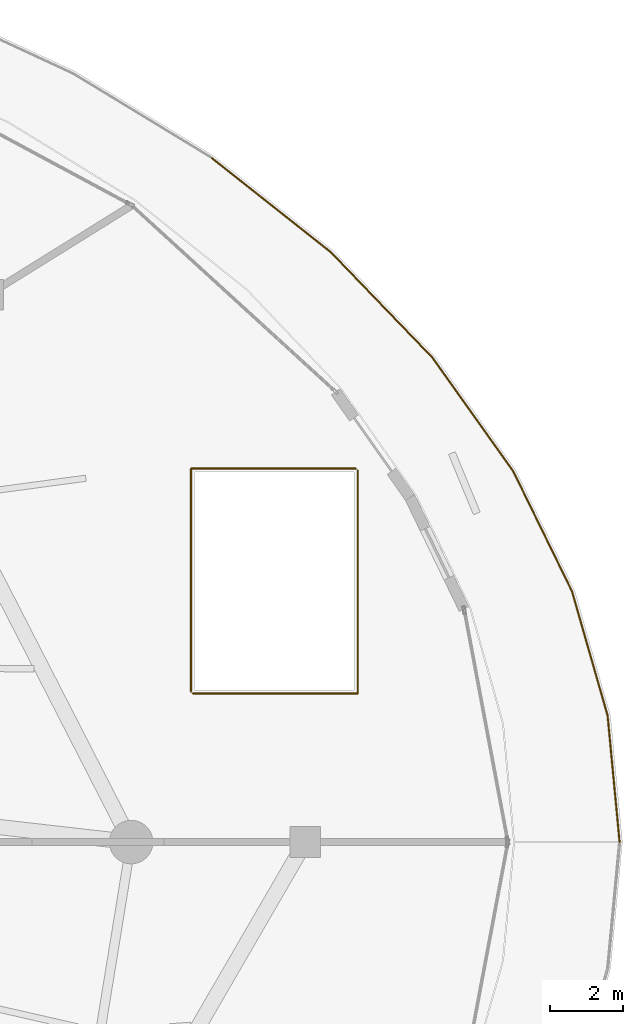
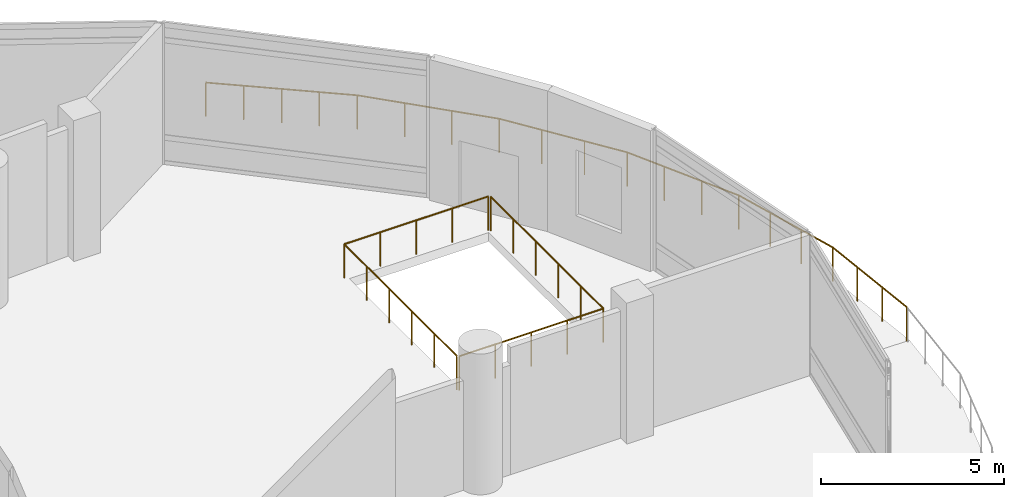
# One storey, part 36 of 36: 3 railings.
"""IFC4 building model written with IfcOpenShell, lengths in metres."""

from ifc_helpers import new_model, si_unit, direction, frame, origin, place, context, subcontext, project, spatial, polyline, outline, extrude, material, type_object, element, save


model = new_model("IFC4")

# Units and contexts
model_context = context("Model", 3, precision=1e-05, world=origin(), true_north=direction((0.0, 1.0)))
body_context = subcontext(model_context, "Body", "Model", "MODEL_VIEW")
ifc_project = project(units=[si_unit("LENGTHUNIT", "METRE"), si_unit("AREAUNIT", "SQUARE_METRE"), si_unit("VOLUMEUNIT", "CUBIC_METRE"), si_unit("PLANEANGLEUNIT", "RADIAN"), si_unit("MASSUNIT", "GRAM", prefix="KILO")], contexts=[model_context])

# Site, building, storey
site_placement = place(None, origin())
site = spatial("IfcSite", under=ifc_project, at=site_placement, CompositionType="ELEMENT")
building_placement = place(site_placement, origin())
building = spatial("IfcBuilding", under=site, at=building_placement, Name="Nuhasar Tower", CompositionType="ELEMENT")
storey_placement = place(building_placement, frame((0.0, 0.0, 11.0)))
storey = spatial("IfcBuildingStorey", under=building, at=storey_placement, Name="L02", CompositionType="ELEMENT", Elevation=11.0)

# Railings
ifc_material = material(Name="Steel S355", Category="steel")
railing_type = type_object("IfcRailingType", Name="RLG-TERR-1150", PredefinedType="BALUSTRADE", material=ifc_material)
railing_1_placement = place(storey_placement, frame((77.52001953125, 26.800048828125, 0.0)))
element("IfcRailing", 1, at=railing_1_placement, inside=storey, type_object=railing_type, Name="L02 Bustan Terrace Perimeter Balustrade 01", PredefinedType="BALUSTRADE", context=body_context, shape_type="SweptSolid", body=[
    extrude(outline(polyline([(0.024169921875, 0.0), (0.01708984375, 0.01708984375), (0.0, 0.024169921875), (-0.01708984375, 0.01708984375), (-0.024169921875, 0.0), (-0.01708984375, -0.01708984375), (0.0, -0.024169921875), (0.01708984375, -0.01708984375), (0.024169921875, 0.0)])), frame((0.0, 0.0, 1.1259765625), z_axis=(-0.094210589897, 0.995552291319, 0.0), x_axis=(-0.995552291319, -0.094210589897, 0.0)), (0.0, 0.0, 1.0), 3.503662109375),
    extrude(outline(polyline([(0.024169921875, 0.0), (0.01708984375, 0.01708984375), (0.0, 0.024169921875), (-0.01708984375, 0.01708984375), (-0.024169921875, 0.0), (-0.01708984375, -0.01708984375), (0.0, -0.024169921875), (0.01708984375, -0.01708984375), (0.024169921875, 0.0)])), frame((-0.330078125, 3.488037109375, 1.1259765625), z_axis=(-0.275625212335, 0.961265177943, 0.0), x_axis=(-0.961265177943, -0.275625212335, 0.0)), (0.0, 0.0, 1.0), 3.566162109375),
    extrude(outline(polyline([(0.024169921875, 0.0), (0.01708984375, 0.01708984375), (0.0, 0.024169921875), (-0.01708984375, 0.01708984375), (-0.024169921875, 0.0), (-0.01708984375, -0.01708984375), (0.0, -0.024169921875), (0.01708984375, -0.01708984375), (0.024169921875, 0.0)])), frame((-1.31298828125, 6.916015625, 1.1259765625), z_axis=(-0.439535798936, 0.898225072826, 0.0), x_axis=(-0.898225072826, -0.439535798936, 0.0)), (0.0, 0.0, 1.0), 3.683837890625),
    extrude(outline(polyline([(0.024169921875, 0.0), (0.01708984375, 0.01708984375), (0.0, 0.024169921875), (-0.01708984375, 0.01708984375), (-0.024169921875, 0.0), (-0.01708984375, -0.01708984375), (0.0, -0.024169921875), (0.01708984375, -0.01708984375), (0.024169921875, 0.0)])), frame((-2.93212890625, 10.224853515625, 1.1259765625), z_axis=(-0.579465707946, 0.814996621658, 0.0), x_axis=(-0.814996621658, -0.579465707946, 0.0)), (0.0, 0.0, 1.0), 3.8466796875),
    extrude(outline(polyline([(0.024169921875, 0.0), (0.01708984375, 0.01708984375), (0.0, 0.024169921875), (-0.01708984375, 0.01708984375), (-0.024169921875, 0.0), (-0.01708984375, -0.01708984375), (0.0, -0.024169921875), (0.01708984375, -0.01708984375), (0.024169921875, 0.0)])), frame((-5.1611328125, 13.35986328125, 1.1259765625), z_axis=(-0.693699827193, 0.72026422218, 0.0), x_axis=(-0.72026422218, -0.693699827193, 0.0)), (0.0, 0.0, 1.0), 4.03466796875),
    extrude(outline(polyline([(0.024169921875, 0.0), (0.01708984375, 0.01708984375), (0.0, 0.024169921875), (-0.01708984375, 0.01708984375), (-0.024169921875, 0.0), (-0.01708984375, -0.01708984375), (0.0, -0.024169921875), (0.01708984375, -0.01708984375), (0.024169921875, 0.0)])), frame((-7.9599609375, 16.265869140625, 1.1259765625), z_axis=(-0.784319467323, 0.620357133576, 0.0), x_axis=(-0.620357133576, -0.784319467323, 0.0)), (0.0, 0.0, 1.0), 4.196044921875),
    extrude(outline(polyline([(0.02099609375, 0.0), (0.014892578125, 0.014892578125), (0.0, 0.02099609375), (-0.014892578125, 0.014892578125), (-0.02099609375, 0.0), (-0.014892578125, -0.014892578125), (0.0, -0.02099609375), (0.014892578125, -0.014892578125), (0.02099609375, 0.0)])), origin(), (0.0, 0.0, 1.0), 1.101806640625),
    extrude(outline(polyline([(0.02099609375, 0.0), (0.014892578125, 0.014892578125), (0.0, 0.02099609375), (-0.014892578125, 0.014892578125), (-0.02099609375, 0.0), (-0.014892578125, -0.014892578125), (0.0, -0.02099609375), (0.014892578125, -0.014892578125), (0.02099609375, 0.0)])), frame((-0.110107421875, 1.16259765625, 0.0)), (0.0, 0.0, 1.0), 1.101806640625),
    extrude(outline(polyline([(0.02099609375, 0.0), (0.014892578125, 0.014892578125), (0.0, 0.02099609375), (-0.014892578125, 0.014892578125), (-0.02099609375, 0.0), (-0.014892578125, -0.014892578125), (0.0, -0.02099609375), (0.014892578125, -0.014892578125), (0.02099609375, 0.0)])), frame((-0.219970703125, 2.325439453125, 0.0)), (0.0, 0.0, 1.0), 1.101806640625),
    extrude(outline(polyline([(0.02099609375, 0.0), (0.014892578125, 0.014892578125), (0.0, 0.02099609375), (-0.014892578125, 0.014892578125), (-0.02099609375, 0.0), (-0.014892578125, -0.014892578125), (0.0, -0.02099609375), (0.014892578125, -0.014892578125), (0.02099609375, 0.0)])), frame((-0.330078125, 3.488037109375, 0.0)), (0.0, 0.0, 1.0), 1.101806640625),
    extrude(outline(polyline([(0.02099609375, 0.0), (0.014892578125, 0.014892578125), (0.0, 0.02099609375), (-0.014892578125, 0.014892578125), (-0.02099609375, 0.0), (-0.014892578125, -0.014892578125), (0.0, -0.02099609375), (0.014892578125, -0.014892578125), (0.02099609375, 0.0)])), frame((-0.65771484375, 4.630615234375, 0.0)), (0.0, 0.0, 1.0), 1.101806640625),
    extrude(outline(polyline([(0.02099609375, 0.0), (0.014892578125, 0.014892578125), (0.0, 0.02099609375), (-0.014892578125, 0.014892578125), (-0.02099609375, 0.0), (-0.014892578125, -0.014892578125), (0.0, -0.02099609375), (0.014892578125, -0.014892578125), (0.02099609375, 0.0)])), frame((-0.9853515625, 5.7734375, 0.0)), (0.0, 0.0, 1.0), 1.101806640625),
    extrude(outline(polyline([(0.02099609375, 0.0), (0.014892578125, 0.014892578125), (0.0, 0.02099609375), (-0.014892578125, 0.014892578125), (-0.02099609375, 0.0), (-0.014892578125, -0.014892578125), (0.0, -0.02099609375), (0.014892578125, -0.014892578125), (0.02099609375, 0.0)])), frame((-1.31298828125, 6.916015625, 0.0)), (0.0, 0.0, 1.0), 1.101806640625),
    extrude(outline(polyline([(0.02099609375, 0.0), (0.014892578125, 0.014892578125), (0.0, 0.02099609375), (-0.014892578125, 0.014892578125), (-0.02099609375, 0.0), (-0.014892578125, -0.014892578125), (0.0, -0.02099609375), (0.014892578125, -0.014892578125), (0.02099609375, 0.0)])), frame((-1.852783203125, 8.01904296875, 0.0)), (0.0, 0.0, 1.0), 1.101806640625),
    extrude(outline(polyline([(0.02099609375, 0.0), (0.014892578125, 0.014892578125), (0.0, 0.02099609375), (-0.014892578125, 0.014892578125), (-0.02099609375, 0.0), (-0.014892578125, -0.014892578125), (0.0, -0.02099609375), (0.014892578125, -0.014892578125), (0.02099609375, 0.0)])), frame((-2.392333984375, 9.121826171875, 0.0)), (0.0, 0.0, 1.0), 1.101806640625),
    extrude(outline(polyline([(0.02099609375, 0.0), (0.014892578125, 0.014892578125), (0.0, 0.02099609375), (-0.014892578125, 0.014892578125), (-0.02099609375, 0.0), (-0.014892578125, -0.014892578125), (0.0, -0.02099609375), (0.014892578125, -0.014892578125), (0.02099609375, 0.0)])), frame((-2.93212890625, 10.224853515625, 0.0)), (0.0, 0.0, 1.0), 1.101806640625),
    extrude(outline(polyline([(0.02099609375, 0.0), (0.014892578125, 0.014892578125), (0.0, 0.02099609375), (-0.014892578125, 0.014892578125), (-0.02099609375, 0.0), (-0.014892578125, -0.014892578125), (0.0, -0.02099609375), (0.014892578125, -0.014892578125), (0.02099609375, 0.0)])), frame((-3.675048828125, 11.269775390625, 0.0)), (0.0, 0.0, 1.0), 1.101806640625),
    extrude(outline(polyline([(0.02099609375, 0.0), (0.014892578125, 0.014892578125), (0.0, 0.02099609375), (-0.014892578125, 0.014892578125), (-0.02099609375, 0.0), (-0.014892578125, -0.014892578125), (0.0, -0.02099609375), (0.014892578125, -0.014892578125), (0.02099609375, 0.0)])), frame((-4.418212890625, 12.31494140625, 0.0)), (0.0, 0.0, 1.0), 1.101806640625),
    extrude(outline(polyline([(0.02099609375, 0.0), (0.014892578125, 0.014892578125), (0.0, 0.02099609375), (-0.014892578125, 0.014892578125), (-0.02099609375, 0.0), (-0.014892578125, -0.014892578125), (0.0, -0.02099609375), (0.014892578125, -0.014892578125), (0.02099609375, 0.0)])), frame((-5.1611328125, 13.35986328125, 0.0)), (0.0, 0.0, 1.0), 1.101806640625),
    extrude(outline(polyline([(0.02099609375, 0.0), (0.014892578125, 0.014892578125), (0.0, 0.02099609375), (-0.014892578125, 0.014892578125), (-0.02099609375, 0.0), (-0.014892578125, -0.014892578125), (0.0, -0.02099609375), (0.014892578125, -0.014892578125), (0.02099609375, 0.0)])), frame((-6.093994140625, 14.32861328125, 0.0)), (0.0, 0.0, 1.0), 1.101806640625),
    extrude(outline(polyline([(0.02099609375, 0.0), (0.014892578125, 0.014892578125), (0.0, 0.02099609375), (-0.014892578125, 0.014892578125), (-0.02099609375, 0.0), (-0.014892578125, -0.014892578125), (0.0, -0.02099609375), (0.014892578125, -0.014892578125), (0.02099609375, 0.0)])), frame((-7.027099609375, 15.297119140625, 0.0)), (0.0, 0.0, 1.0), 1.101806640625),
    extrude(outline(polyline([(0.02099609375, 0.0), (0.014892578125, 0.014892578125), (0.0, 0.02099609375), (-0.014892578125, 0.014892578125), (-0.02099609375, 0.0), (-0.014892578125, -0.014892578125), (0.0, -0.02099609375), (0.014892578125, -0.014892578125), (0.02099609375, 0.0)])), frame((-7.9599609375, 16.265869140625, 0.0)), (0.0, 0.0, 1.0), 1.101806640625),
    extrude(outline(polyline([(0.02099609375, 0.0), (0.014892578125, 0.014892578125), (0.0, 0.02099609375), (-0.014892578125, 0.014892578125), (-0.02099609375, 0.0), (-0.014892578125, -0.014892578125), (0.0, -0.02099609375), (0.014892578125, -0.014892578125), (0.02099609375, 0.0)])), frame((-8.78271484375, 16.91650390625, 0.0)), (0.0, 0.0, 1.0), 1.101806640625),
    extrude(outline(polyline([(0.02099609375, 0.0), (0.014892578125, 0.014892578125), (0.0, 0.02099609375), (-0.014892578125, 0.014892578125), (-0.02099609375, 0.0), (-0.014892578125, -0.014892578125), (0.0, -0.02099609375), (0.014892578125, -0.014892578125), (0.02099609375, 0.0)])), frame((-9.60546875, 17.5673828125, 0.0)), (0.0, 0.0, 1.0), 1.101806640625),
    extrude(outline(polyline([(0.02099609375, 0.0), (0.014892578125, 0.014892578125), (0.0, 0.02099609375), (-0.014892578125, 0.014892578125), (-0.02099609375, 0.0), (-0.014892578125, -0.014892578125), (0.0, -0.02099609375), (0.014892578125, -0.014892578125), (0.02099609375, 0.0)])), frame((-10.42822265625, 18.21826171875, 0.0)), (0.0, 0.0, 1.0), 1.101806640625),
    extrude(outline(polyline([(0.02099609375, 0.0), (0.014892578125, 0.014892578125), (0.0, 0.02099609375), (-0.014892578125, 0.014892578125), (-0.02099609375, 0.0), (-0.014892578125, -0.014892578125), (0.0, -0.02099609375), (0.014892578125, -0.014892578125), (0.02099609375, 0.0)])), frame((-11.2509765625, 18.868896484375, 0.0)), (0.0, 0.0, 1.0), 1.101806640625),
])
railing_2_placement = place(storey_placement, frame((65.699951171875, 30.949951171875, 0.0)))
element("IfcRailing", 2, at=railing_2_placement, inside=storey, type_object=railing_type, Name="L02 Atrium Gallery Edge Guardrail West-North", PredefinedType="BALUSTRADE", context=body_context, shape_type="SweptSolid", body=[
    extrude(outline(polyline([(0.024169921875, 0.0), (0.01708984375, 0.01708984375), (0.0, 0.024169921875), (-0.01708984375, 0.01708984375), (-0.024169921875, 0.0), (-0.01708984375, -0.01708984375), (0.0, -0.024169921875), (0.01708984375, -0.01708984375), (0.024169921875, 0.0)])), frame((0.0, 0.0, 1.1259765625), z_axis=(0.0, 1.0, 0.0), x_axis=(-1.0, 0.0, 0.0)), (0.0, 0.0, 1.0), 6.150146484375),
    extrude(outline(polyline([(0.024169921875, 0.0), (0.01708984375, 0.01708984375), (0.0, 0.024169921875), (-0.01708984375, 0.01708984375), (-0.024169921875, 0.0), (-0.01708984375, -0.01708984375), (0.0, -0.024169921875), (0.01708984375, -0.01708984375), (0.024169921875, 0.0)])), frame((0.0, 6.150146484375, 1.1259765625), z_axis=(1.0, 0.0, 0.0), x_axis=(0.0, 1.0, 0.0)), (0.0, 0.0, 1.0), 4.550048828125),
    extrude(outline(polyline([(0.02099609375, 0.0), (0.014892578125, 0.014892578125), (0.0, 0.02099609375), (-0.014892578125, 0.014892578125), (-0.02099609375, 0.0), (-0.014892578125, -0.014892578125), (0.0, -0.02099609375), (0.014892578125, -0.014892578125), (0.02099609375, 0.0)])), origin(), (0.0, 0.0, 1.0), 1.101806640625),
    extrude(outline(polyline([(0.02099609375, 0.0), (0.014892578125, 0.014892578125), (0.0, 0.02099609375), (-0.014892578125, 0.014892578125), (-0.02099609375, 0.0), (-0.014892578125, -0.014892578125), (0.0, -0.02099609375), (0.014892578125, -0.014892578125), (0.02099609375, 0.0)])), frame((0.0, 1.22998046875, 0.0)), (0.0, 0.0, 1.0), 1.101806640625),
    extrude(outline(polyline([(0.02099609375, 0.0), (0.014892578125, 0.014892578125), (0.0, 0.02099609375), (-0.014892578125, 0.014892578125), (-0.02099609375, 0.0), (-0.014892578125, -0.014892578125), (0.0, -0.02099609375), (0.014892578125, -0.014892578125), (0.02099609375, 0.0)])), frame((0.0, 2.4599609375, 0.0)), (0.0, 0.0, 1.0), 1.101806640625),
    extrude(outline(polyline([(0.02099609375, 0.0), (0.014892578125, 0.014892578125), (0.0, 0.02099609375), (-0.014892578125, 0.014892578125), (-0.02099609375, 0.0), (-0.014892578125, -0.014892578125), (0.0, -0.02099609375), (0.014892578125, -0.014892578125), (0.02099609375, 0.0)])), frame((0.0, 3.690185546875, 0.0)), (0.0, 0.0, 1.0), 1.101806640625),
    extrude(outline(polyline([(0.02099609375, 0.0), (0.014892578125, 0.014892578125), (0.0, 0.02099609375), (-0.014892578125, 0.014892578125), (-0.02099609375, 0.0), (-0.014892578125, -0.014892578125), (0.0, -0.02099609375), (0.014892578125, -0.014892578125), (0.02099609375, 0.0)])), frame((0.0, 4.920166015625, 0.0)), (0.0, 0.0, 1.0), 1.101806640625),
    extrude(outline(polyline([(0.02099609375, 0.0), (0.014892578125, 0.014892578125), (0.0, 0.02099609375), (-0.014892578125, 0.014892578125), (-0.02099609375, 0.0), (-0.014892578125, -0.014892578125), (0.0, -0.02099609375), (0.014892578125, -0.014892578125), (0.02099609375, 0.0)])), frame((0.0, 6.150146484375, 0.0)), (0.0, 0.0, 1.0), 1.101806640625),
    extrude(outline(polyline([(0.02099609375, 0.0), (0.014892578125, 0.014892578125), (0.0, 0.02099609375), (-0.014892578125, 0.014892578125), (-0.02099609375, 0.0), (-0.014892578125, -0.014892578125), (0.0, -0.02099609375), (0.014892578125, -0.014892578125), (0.02099609375, 0.0)])), frame((1.137451171875, 6.150146484375, 0.0)), (0.0, 0.0, 1.0), 1.101806640625),
    extrude(outline(polyline([(0.02099609375, 0.0), (0.014892578125, 0.014892578125), (0.0, 0.02099609375), (-0.014892578125, 0.014892578125), (-0.02099609375, 0.0), (-0.014892578125, -0.014892578125), (0.0, -0.02099609375), (0.014892578125, -0.014892578125), (0.02099609375, 0.0)])), frame((2.27490234375, 6.150146484375, 0.0)), (0.0, 0.0, 1.0), 1.101806640625),
    extrude(outline(polyline([(0.02099609375, 0.0), (0.014892578125, 0.014892578125), (0.0, 0.02099609375), (-0.014892578125, 0.014892578125), (-0.02099609375, 0.0), (-0.014892578125, -0.014892578125), (0.0, -0.02099609375), (0.014892578125, -0.014892578125), (0.02099609375, 0.0)])), frame((3.41259765625, 6.150146484375, 0.0)), (0.0, 0.0, 1.0), 1.101806640625),
    extrude(outline(polyline([(0.02099609375, 0.0), (0.014892578125, 0.014892578125), (0.0, 0.02099609375), (-0.014892578125, 0.014892578125), (-0.02099609375, 0.0), (-0.014892578125, -0.014892578125), (0.0, -0.02099609375), (0.014892578125, -0.014892578125), (0.02099609375, 0.0)])), frame((4.550048828125, 6.150146484375, 0.0)), (0.0, 0.0, 1.0), 1.101806640625),
])
railing_3_placement = place(storey_placement, frame((70.300048828125, 37.050048828125, 0.0)))
element("IfcRailing", 3, at=railing_3_placement, inside=storey, type_object=railing_type, Name="L02 Atrium Gallery Edge Guardrail East-South", PredefinedType="BALUSTRADE", context=body_context, shape_type="SweptSolid", body=[
    extrude(outline(polyline([(0.024169921875, 0.0), (0.01708984375, 0.01708984375), (0.0, 0.024169921875), (-0.01708984375, 0.01708984375), (-0.024169921875, 0.0), (-0.01708984375, -0.01708984375), (0.0, -0.024169921875), (0.01708984375, -0.01708984375), (0.024169921875, 0.0)])), frame((0.0, 0.0, 1.1259765625), z_axis=(0.0, -1.0, 0.0), x_axis=(1.0, 0.0, 0.0)), (0.0, 0.0, 1.0), 6.150146484375),
    extrude(outline(polyline([(0.024169921875, 0.0), (0.01708984375, 0.01708984375), (0.0, 0.024169921875), (-0.01708984375, 0.01708984375), (-0.024169921875, 0.0), (-0.01708984375, -0.01708984375), (0.0, -0.024169921875), (0.01708984375, -0.01708984375), (0.024169921875, 0.0)])), frame((0.0, -6.150146484375, 1.1259765625), z_axis=(-1.0, 0.0, 0.0), x_axis=(0.0, -1.0, 0.0)), (0.0, 0.0, 1.0), 4.550048828125),
    extrude(outline(polyline([(0.02099609375, 0.0), (0.014892578125, 0.014892578125), (0.0, 0.02099609375), (-0.014892578125, 0.014892578125), (-0.02099609375, 0.0), (-0.014892578125, -0.014892578125), (0.0, -0.02099609375), (0.014892578125, -0.014892578125), (0.02099609375, 0.0)])), origin(), (0.0, 0.0, 1.0), 1.101806640625),
    extrude(outline(polyline([(0.02099609375, 0.0), (0.014892578125, 0.014892578125), (0.0, 0.02099609375), (-0.014892578125, 0.014892578125), (-0.02099609375, 0.0), (-0.014892578125, -0.014892578125), (0.0, -0.02099609375), (0.014892578125, -0.014892578125), (0.02099609375, 0.0)])), frame((0.0, -1.22998046875, 0.0)), (0.0, 0.0, 1.0), 1.101806640625),
    extrude(outline(polyline([(0.02099609375, 0.0), (0.014892578125, 0.014892578125), (0.0, 0.02099609375), (-0.014892578125, 0.014892578125), (-0.02099609375, 0.0), (-0.014892578125, -0.014892578125), (0.0, -0.02099609375), (0.014892578125, -0.014892578125), (0.02099609375, 0.0)])), frame((0.0, -2.4599609375, 0.0)), (0.0, 0.0, 1.0), 1.101806640625),
    extrude(outline(polyline([(0.02099609375, 0.0), (0.014892578125, 0.014892578125), (0.0, 0.02099609375), (-0.014892578125, 0.014892578125), (-0.02099609375, 0.0), (-0.014892578125, -0.014892578125), (0.0, -0.02099609375), (0.014892578125, -0.014892578125), (0.02099609375, 0.0)])), frame((0.0, -3.690185546875, 0.0)), (0.0, 0.0, 1.0), 1.101806640625),
    extrude(outline(polyline([(0.02099609375, 0.0), (0.014892578125, 0.014892578125), (0.0, 0.02099609375), (-0.014892578125, 0.014892578125), (-0.02099609375, 0.0), (-0.014892578125, -0.014892578125), (0.0, -0.02099609375), (0.014892578125, -0.014892578125), (0.02099609375, 0.0)])), frame((0.0, -4.920166015625, 0.0)), (0.0, 0.0, 1.0), 1.101806640625),
    extrude(outline(polyline([(0.02099609375, 0.0), (0.014892578125, 0.014892578125), (0.0, 0.02099609375), (-0.014892578125, 0.014892578125), (-0.02099609375, 0.0), (-0.014892578125, -0.014892578125), (0.0, -0.02099609375), (0.014892578125, -0.014892578125), (0.02099609375, 0.0)])), frame((0.0, -6.150146484375, 0.0)), (0.0, 0.0, 1.0), 1.101806640625),
    extrude(outline(polyline([(0.02099609375, 0.0), (0.014892578125, 0.014892578125), (0.0, 0.02099609375), (-0.014892578125, 0.014892578125), (-0.02099609375, 0.0), (-0.014892578125, -0.014892578125), (0.0, -0.02099609375), (0.014892578125, -0.014892578125), (0.02099609375, 0.0)])), frame((-1.137451171875, -6.150146484375, 0.0)), (0.0, 0.0, 1.0), 1.101806640625),
    extrude(outline(polyline([(0.02099609375, 0.0), (0.014892578125, 0.014892578125), (0.0, 0.02099609375), (-0.014892578125, 0.014892578125), (-0.02099609375, 0.0), (-0.014892578125, -0.014892578125), (0.0, -0.02099609375), (0.014892578125, -0.014892578125), (0.02099609375, 0.0)])), frame((-2.27490234375, -6.150146484375, 0.0)), (0.0, 0.0, 1.0), 1.101806640625),
    extrude(outline(polyline([(0.02099609375, 0.0), (0.014892578125, 0.014892578125), (0.0, 0.02099609375), (-0.014892578125, 0.014892578125), (-0.02099609375, 0.0), (-0.014892578125, -0.014892578125), (0.0, -0.02099609375), (0.014892578125, -0.014892578125), (0.02099609375, 0.0)])), frame((-3.41259765625, -6.150146484375, 0.0)), (0.0, 0.0, 1.0), 1.101806640625),
    extrude(outline(polyline([(0.02099609375, 0.0), (0.014892578125, 0.014892578125), (0.0, 0.02099609375), (-0.014892578125, 0.014892578125), (-0.02099609375, 0.0), (-0.014892578125, -0.014892578125), (0.0, -0.02099609375), (0.014892578125, -0.014892578125), (0.02099609375, 0.0)])), frame((-4.550048828125, -6.150146484375, 0.0)), (0.0, 0.0, 1.0), 1.101806640625),
])

save(model, "model.ifc")
